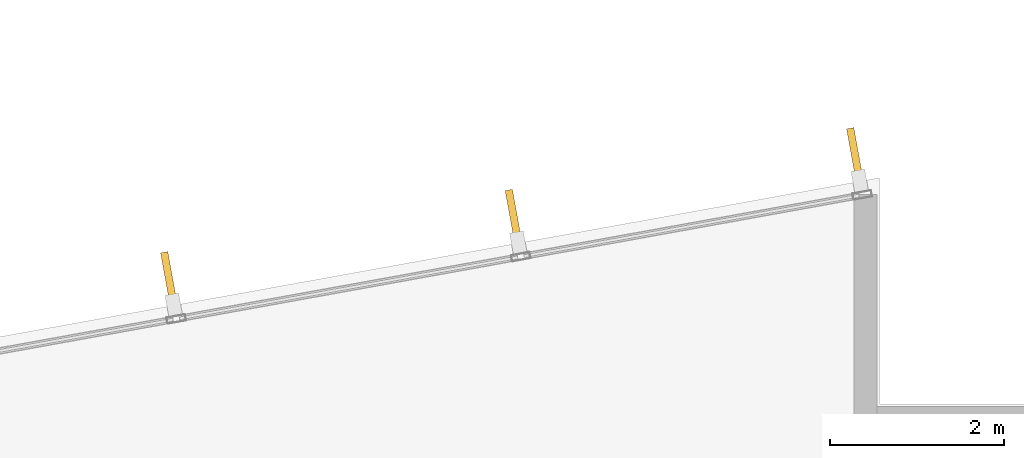
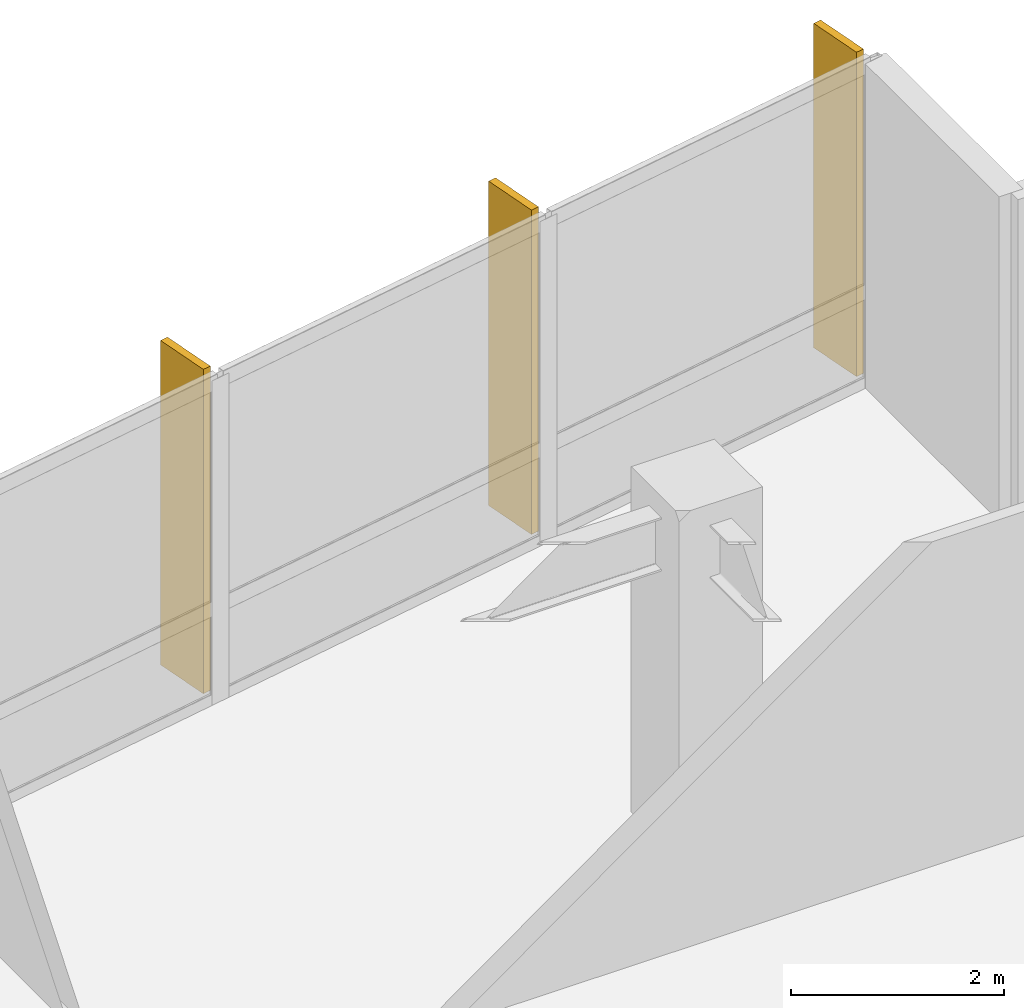
# One storey, part 19 of 19: 3 shading devices.
"""IFC4 building model written with IfcOpenShell, lengths in metres."""

from ifc_helpers import new_model, si_unit, direction, frame, origin, origin_2d, place, context, subcontext, project, spatial, rectangle, extrude, material, layer, layer_set, type_object, element, save


model = new_model("IFC4")

# Units and contexts
model_context = context("Model", 3, precision=1e-05, world=origin(), true_north=direction((0.0, 1.0)))
body_context = subcontext(model_context, "Body", "Model", "MODEL_VIEW")
ifc_project = project(units=[si_unit("LENGTHUNIT", "METRE"), si_unit("AREAUNIT", "SQUARE_METRE"), si_unit("VOLUMEUNIT", "CUBIC_METRE"), si_unit("PLANEANGLEUNIT", "RADIAN"), si_unit("MASSUNIT", "GRAM", prefix="KILO")], contexts=[model_context])

# Site, building, storey
site_placement = place(None, origin())
site = spatial("IfcSite", under=ifc_project, at=site_placement, CompositionType="ELEMENT")
building_placement = place(site_placement, origin())
building = spatial("IfcBuilding", under=site, at=building_placement, Name="Varnakote Quay Hospital", CompositionType="ELEMENT")
storey_placement = place(building_placement, frame((0.0, 0.0, 89.64990234375)))
storey = spatial("IfcBuildingStorey", under=building, at=storey_placement, Name="L22", CompositionType="ELEMENT", Elevation=89.64990234375)

# Shading devices
ifc_material = material(Name="Anodised aluminium 6063-T6 Bronze", Category="aluminium")
ifc_layer = layer(ifc_material, 0.0849609375)
ifc_layer_set = layer_set([ifc_layer], Name="Anodised aluminium 6063-T6 Bronze")
shading_device_type = type_object("IfcShadingDeviceType", Name="SHD-BRONZE-FIN-620", PredefinedType="USERDEFINED", material=ifc_layer_set)
for number, where, z_axis, x_axis, name in (
    (1, (55.319580078125, 34.664306640625, 0.0), (0.0, 0.0, 1.0), (0.177771795263, -0.984071739666, 0.0), "L22 Anodised Bronze Vertical Shading FIN"),
    (2, (51.393798828125, 33.954833984375, 0.0), (0.0, 0.0, 1.0), (0.177771795263, -0.984071739666, 0.0), "L22 Anodised Bronze Vertical Shading FIN"),
    (3, (47.43115234375, 33.23876953125, 0.0), (0.0, 0.0, 1.0), (0.177771795263, -0.984071739666, 0.0), "L22 Anodised Bronze Vertical Shading FIN"),
):
    element("IfcShadingDevice", number, at=place(storey_placement, frame(where, z_axis=z_axis, x_axis=x_axis)), inside=storey, type_object=shading_device_type, Name=name, ObjectType="FIN", PredefinedType="USERDEFINED", context=body_context, shape_type="SweptSolid", body=[
        extrude(rectangle(XDim=0.6201171875, YDim=0.0849609375, at=origin_2d()), origin(), (0.0, 0.0, 1.0), 3.7099609375),
    ])

save(model, "model.ifc")
